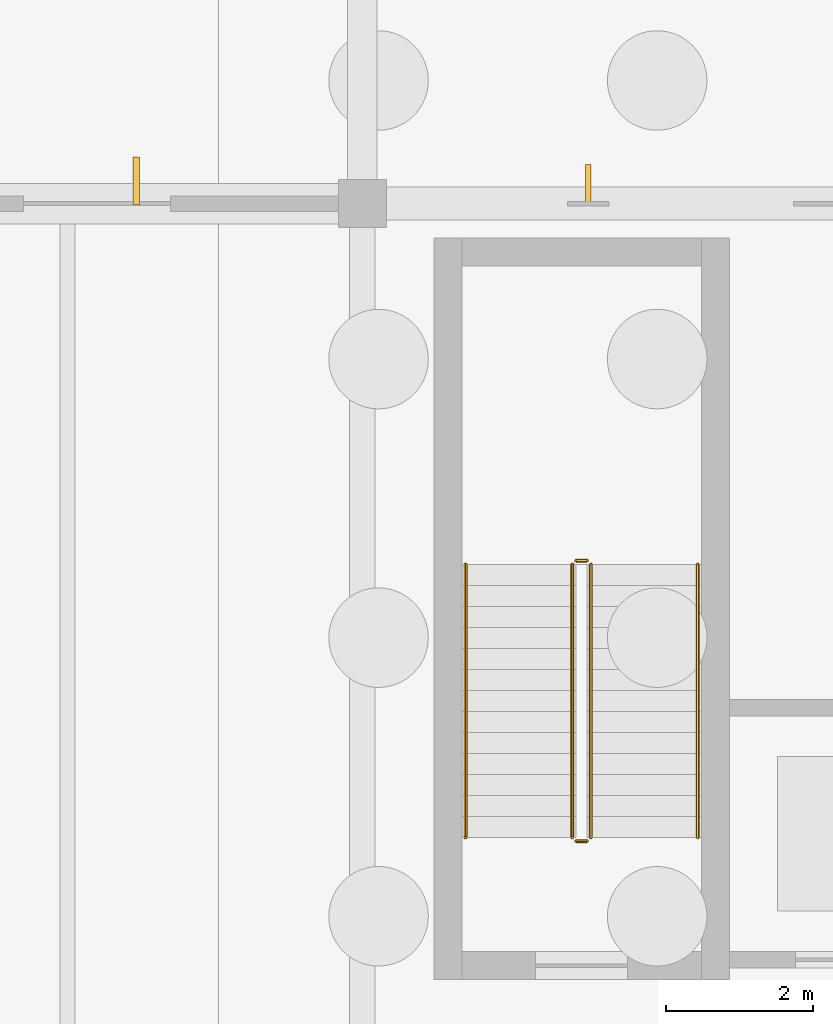
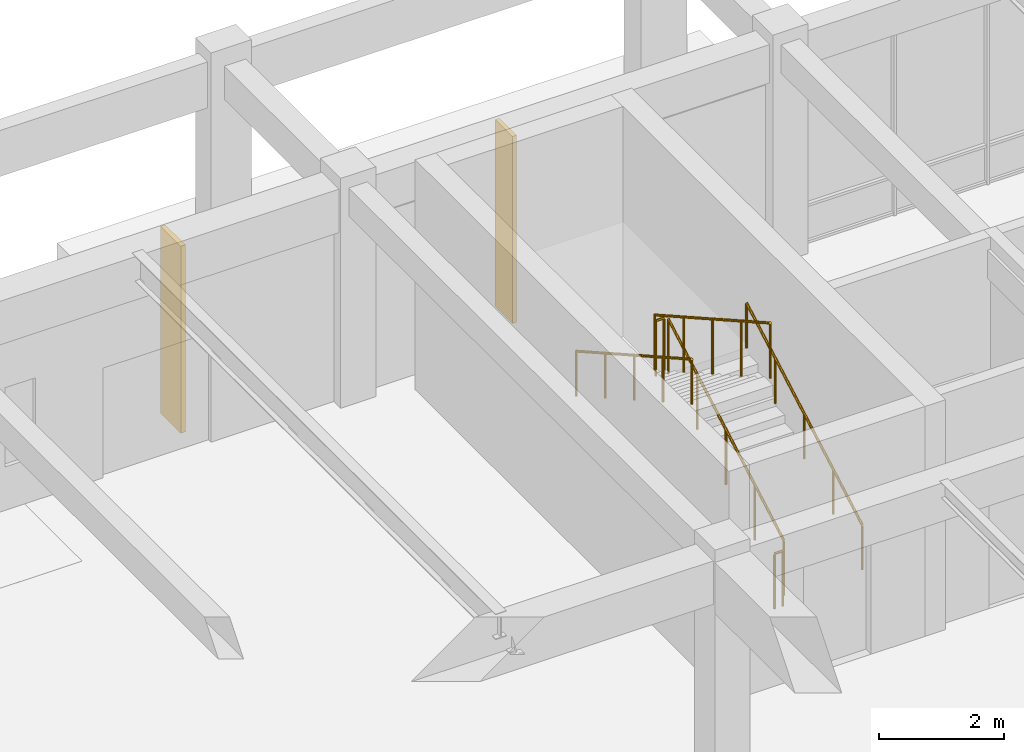
# One storey, part 73 of 84: 6 railings, 2 shading devices.
"""IFC4 building model written with IfcOpenShell, lengths in metres."""

import ifcopenshell
import ifcopenshell.guid

model = None  # the IFC model being written
_history = None  # IfcOwnerHistory: only IFC2X3 demands one
_inside = {}  # id of a spatial element -> (the spatial element, [elements in it])
_under = {}  # id of a project, library or spatial element -> (it, [spatial elements below it])
_declared = {}  # id of a project -> (the project, [libraries it declares])
_typed = {}  # id of a type object -> (the type object, [elements of that type])
_made_of = {}  # id of a material, layer set ... -> (it, [elements and type objects made of it])


def new_model(schema):
    """Start an empty IFC model of exactly this schema.

    Asked for "IFC4X3", IfcOpenShell would pick the latest addendum, in which some entities
    have other attributes; the version numbers below select the first issue.
    IFC2X3 requires an IfcOwnerHistory on every rooted entity: one is made here for all.
    """
    global model, _history
    if schema == "IFC4X3":
        model = ifcopenshell.file(schema_version=(4, 3, 0, 0))
    else:
        model = ifcopenshell.file(schema=schema)
    _inside.clear()
    _under.clear()
    _declared.clear()
    _typed.clear()
    _made_of.clear()
    _history = None
    if model.schema == "IFC2X3":
        org = make("IfcOrganization", Name="unknown")
        user = make(
            "IfcPersonAndOrganization",
            ThePerson=make("IfcPerson", FamilyName="unknown"),
            TheOrganization=org,
        )
        app = make(
            "IfcApplication",
            ApplicationDeveloper=org,
            Version="unknown",
            ApplicationFullName="unknown",
            ApplicationIdentifier="unknown",
        )
        _history = make(
            "IfcOwnerHistory",
            OwningUser=user,
            OwningApplication=app,
            ChangeAction="ADDED",
            CreationDate=0,
        )
    return model


def make(cls, **values):
    """One entity of the class cls with the attributes given. An attribute that is None is left unset."""
    return model.create_entity(
        cls, **{name: value for name, value in values.items() if value is not None}
    )


def rooted(cls, **values):
    """An entity with a GlobalId (a new one), such as an element, a storey or a relation."""
    return make(cls, GlobalId=ifcopenshell.guid.new(), OwnerHistory=_history, **values)


def si_unit(unit_type, name, prefix=None):
    """IfcSIUnit, for example si_unit("LENGTHUNIT", "METRE", prefix="MILLI")."""
    return make("IfcSIUnit", UnitType=unit_type, Prefix=prefix, Name=name)


def assignment(units):
    """IfcUnitAssignment: the units of a project."""
    return None if units is None else make("IfcUnitAssignment", Units=units)


def point(xyz):
    """IfcCartesianPoint."""
    return None if xyz is None else make("IfcCartesianPoint", Coordinates=xyz)


def direction(xyz):
    """IfcDirection."""
    return None if xyz is None else make("IfcDirection", DirectionRatios=xyz)


def frame(location, z_axis=None, x_axis=None):
    """IfcAxis2Placement3D, a coordinate frame: its origin and axes. An axis left out is left unset."""
    return make(
        "IfcAxis2Placement3D",
        Location=point(location),
        Axis=direction(z_axis),
        RefDirection=direction(x_axis),
    )


def frame_2d(location, x_axis=None):
    """IfcAxis2Placement2D, a coordinate frame in the plane: its origin and x axis."""
    return make(
        "IfcAxis2Placement2D", Location=point(location), RefDirection=direction(x_axis)
    )


def origin():
    """The frame at (0, 0, 0) with its axes left unset."""
    return frame((0.0, 0.0, 0.0))


def origin_2d():
    """The frame at (0, 0) in the plane with its x axis left unset."""
    return frame_2d((0.0, 0.0))


def place(relative_to, where):
    """IfcLocalPlacement: puts the frame where relative to a parent placement (None: the world)."""
    return make(
        "IfcLocalPlacement", PlacementRelTo=relative_to, RelativePlacement=where
    )


def context(
    kind, dimensions, precision=None, world=None, true_north=None, identifier=None
):
    """IfcGeometricRepresentationContext, for example the 3D "Model" context."""
    return make(
        "IfcGeometricRepresentationContext",
        ContextIdentifier=identifier,
        ContextType=kind,
        CoordinateSpaceDimension=dimensions,
        Precision=precision,
        WorldCoordinateSystem=world,
        TrueNorth=true_north,
    )


def subcontext(parent, identifier, kind, view, scale=None):
    """IfcGeometricRepresentationSubContext, for example "Body" below "Model"."""
    return make(
        "IfcGeometricRepresentationSubContext",
        ContextIdentifier=identifier,
        ContextType=kind,
        ParentContext=parent,
        TargetScale=scale,
        TargetView=view,
    )


def project(units=None, contexts=None):
    """IfcProject with its units and contexts."""
    return rooted(
        "IfcProject",
        Name="project",
        RepresentationContexts=contexts,
        UnitsInContext=assignment(units),
    )


def spatial(cls, under=None, at=None, **own):
    """A site, building, storey or space (cls), placed at a placement, below another one or the project."""
    s = rooted(cls, ObjectPlacement=at, **own)
    if under is not None:
        _under.setdefault(under.id(), (under, []))[1].append(s)
    return s


def profile(cls, at=None, kind="AREA", **sizes):
    """A parametric profile (cls). Its sizes go by their IFC names, for example OverallWidth=200.0."""
    return make(cls, ProfileType=kind, Position=at, **sizes)


def rectangle(**sizes):
    """IfcRectangleProfileDef."""
    return profile("IfcRectangleProfileDef", **sizes)


def circle(**sizes):
    """IfcCircleProfileDef."""
    return profile("IfcCircleProfileDef", **sizes)


def extrude(swept, where, along, depth):
    """IfcExtrudedAreaSolid: the profile swept, set in the frame where, extruded along a direction by depth."""
    return make(
        "IfcExtrudedAreaSolid",
        SweptArea=swept,
        Position=where,
        ExtrudedDirection=direction(along),
        Depth=depth,
    )


def shape(context_of_items, identifier, shape_type, items):
    """IfcShapeRepresentation: the items that make up one representation, for example the "Body"."""
    return make(
        "IfcShapeRepresentation",
        ContextOfItems=context_of_items,
        RepresentationIdentifier=identifier,
        RepresentationType=shape_type,
        Items=items,
    )


def material(Name=None, Category=None):
    """IfcMaterial."""
    return make("IfcMaterial", Name=Name, Category=Category)


def layer(
    of_material, thickness, ventilated=None, Name=None, Category=None, Priority=None
):
    """IfcMaterialLayer: one layer of a wall or slab, of a material (None: an air gap)."""
    return make(
        "IfcMaterialLayer",
        Material=of_material,
        LayerThickness=thickness,
        IsVentilated=ventilated,
        Name=Name,
        Category=Category,
        Priority=Priority,
    )


def layer_set(layers, Name=None):
    """IfcMaterialLayerSet."""
    return make("IfcMaterialLayerSet", MaterialLayers=layers, LayerSetName=Name)


def made_of(thing, what):
    """Note that an element or type object is made of a material, layer set ...; save() writes the relation."""
    if what is not None:
        _made_of.setdefault(what.id(), (what, []))[1].append(thing)
    return thing


def type_object(cls, material=None, **own):
    """A type object (cls), such as IfcWallType, which elements share."""
    return made_of(rooted(cls, **own), material)


def element(
    cls,
    number,
    at=None,
    inside=None,
    cuts=None,
    type_object=None,
    material=None,
    context=None,
    identifier="Body",
    shape_type=None,
    held_by="IfcProductDefinitionShape",
    body=None,
    shapes=None,
    **own,
):
    """One element of the class cls, such as IfcWall. Its Tag is "e" and its number.

    at: its placement. inside: the storey or other place that contains it. cuts: it is an
    opening in that element (IfcRelVoidsElement). A single representation is given by context,
    identifier, shape_type and body (its items); several are given by shapes. held_by: the class
    of the entity that holds the representations. save() writes the other relations.
    """
    e = rooted(cls, Tag="e%d" % number, ObjectPlacement=at, **own)
    if body is not None:
        shapes = [shape(context, identifier, shape_type, body)]
    if shapes is not None:
        e.Representation = make(held_by, Representations=shapes)
    if inside is not None:
        _inside.setdefault(inside.id(), (inside, []))[1].append(e)
    if cuts is not None:
        rooted(
            "IfcRelVoidsElement", RelatingBuildingElement=cuts, RelatedOpeningElement=e
        )
    if type_object is not None:
        _typed.setdefault(type_object.id(), (type_object, []))[1].append(e)
    return made_of(e, material)


def aggregate(whole, parts):
    """IfcRelAggregates: a whole, such as a stair, and the parts it consists of."""
    return rooted("IfcRelAggregates", RelatingObject=whole, RelatedObjects=parts)


def save(model, path):
    """Write the relations noted so far, then the file.

    IfcRelAggregates (storeys below a building ...), IfcRelContainedInSpatialStructure (elements
    in a storey), IfcRelDefinesByType, IfcRelAssociatesMaterial and IfcRelDeclares: one each for
    every whole, place, type object, material and project.
    """
    for whole, parts in _under.values():
        aggregate(whole, parts)
    for where, things in _inside.values():
        rooted(
            "IfcRelContainedInSpatialStructure",
            RelatedElements=things,
            RelatingStructure=where,
        )
    for kind, things in _typed.values():
        rooted("IfcRelDefinesByType", RelatedObjects=things, RelatingType=kind)
    for what, things in _made_of.values():
        rooted("IfcRelAssociatesMaterial", RelatedObjects=things, RelatingMaterial=what)
    for by, libraries in _declared.values():
        rooted("IfcRelDeclares", RelatingContext=by, RelatedDefinitions=libraries)
    model.write(path)


model = new_model("IFC4")

# Units and contexts
model_context = context("Model", 3, precision=1e-05, world=origin(), true_north=direction((0.0, 1.0)))
body_context = subcontext(model_context, "Body", "Model", "MODEL_VIEW")
ifc_project = project(units=[si_unit("LENGTHUNIT", "METRE"), si_unit("AREAUNIT", "SQUARE_METRE"), si_unit("VOLUMEUNIT", "CUBIC_METRE"), si_unit("PLANEANGLEUNIT", "RADIAN"), si_unit("MASSUNIT", "GRAM", prefix="KILO")], contexts=[model_context])

# Site, building, storey
site_placement = place(None, origin())
site = spatial("IfcSite", under=ifc_project, at=site_placement, CompositionType="ELEMENT")
building_placement = place(site_placement, origin())
building = spatial("IfcBuilding", under=site, at=building_placement, Name="Larkveld Mobility Hub", CompositionType="ELEMENT")
storey_placement = place(building_placement, origin())
storey = spatial("IfcBuildingStorey", under=building, at=storey_placement, Name="L00", CompositionType="ELEMENT", Elevation=0.0)

# Railings
ifc_material_1 = material(Name="Galvanized Steel S355JR balustrade", Category="steel")
railing_type_1 = type_object("IfcRailingType", Name="RL-GRD-1100", PredefinedType="GUARDRAIL", material=ifc_material_1)
railing_1_placement = place(storey_placement, frame((27.10009765625, 113.39990234375, 0.16064453125)))
element("IfcRailing", 1, at=railing_1_placement, inside=storey, type_object=railing_type_1, Name="L00 ST6 stair guard 1", PredefinedType="GUARDRAIL", context=body_context, shape_type="SweptSolid", body=[
    extrude(circle(Radius=0.02392578125, at=origin_2d()), frame((0.0, 0.0, 1.076171875), z_axis=(0.0, 0.871047735535, 0.491198373795), x_axis=(-1.0, 0.0, 0.0)), (0.0, 0.0, 1.0), 4.253662109375),
    extrude(circle(Radius=0.02099609375, at=origin_2d()), origin(), (0.0, 0.0, 1.0), 1.052001953125),
    extrude(circle(Radius=0.02099609375, at=origin_2d()), frame((0.0, 0.92626953125, 0.5224609375)), (0.0, 0.0, 1.0), 1.052001953125),
    extrude(circle(Radius=0.02099609375, at=origin_2d()), frame((0.0, 1.8525390625, 1.044677734375)), (0.0, 0.0, 1.0), 1.052001953125),
    extrude(circle(Radius=0.02099609375, at=origin_2d()), frame((0.0, 2.77880859375, 1.56689453125)), (0.0, 0.0, 1.0), 1.052001953125),
    extrude(circle(Radius=0.02099609375, at=origin_2d()), frame((0.0, 3.705078125, 2.08935546875)), (0.0, 0.0, 1.0), 1.052001953125),
])
railing_2_placement = place(storey_placement, frame((27.050048828125, 117.155029296875, 2.25)))
element("IfcRailing", 2, at=railing_2_placement, inside=storey, type_object=railing_type_1, Name="L00 ST6 stair guard 2", PredefinedType="GUARDRAIL", context=body_context, shape_type="SweptSolid", body=[
    extrude(circle(Radius=0.02392578125, at=origin_2d()), frame((0.0, 0.0, 1.076171875), z_axis=(-1.0, 0.0, 0.0), x_axis=(0.0, -1.0, 0.0)), (0.0, 0.0, 1.0), 0.150146484375),
    extrude(circle(Radius=0.02099609375, at=origin_2d()), origin(), (0.0, 0.0, 1.0), 1.052001953125),
    extrude(circle(Radius=0.02099609375, at=origin_2d()), frame((-0.150146484375, 0.0, 0.0)), (0.0, 0.0, 1.0), 1.052001953125),
])
railing_3_placement = place(storey_placement, frame((26.85009765625, 117.10498046875, 2.41064453125)))
element("IfcRailing", 3, at=railing_3_placement, inside=storey, type_object=railing_type_1, Name="L00 ST6 stair guard 3", PredefinedType="GUARDRAIL", context=body_context, shape_type="SweptSolid", body=[
    extrude(circle(Radius=0.02392578125, at=origin_2d()), frame((0.0, 0.0, 1.076171875), z_axis=(0.0, -0.871047735535, 0.491198373795), x_axis=(1.0, 0.0, 0.0)), (0.0, 0.0, 1.0), 4.253662109375),
    extrude(circle(Radius=0.02099609375, at=origin_2d()), origin(), (0.0, 0.0, 1.0), 1.052001953125),
    extrude(circle(Radius=0.02099609375, at=origin_2d()), frame((0.0, -0.92626953125, 0.5224609375)), (0.0, 0.0, 1.0), 1.052001953125),
    extrude(circle(Radius=0.02099609375, at=origin_2d()), frame((0.0, -1.8525390625, 1.044677734375)), (0.0, 0.0, 1.0), 1.052001953125),
    extrude(circle(Radius=0.02099609375, at=origin_2d()), frame((0.0, -2.77880859375, 1.56689453125)), (0.0, 0.0, 1.0), 1.052001953125),
    extrude(circle(Radius=0.02099609375, at=origin_2d()), frame((0.0, -3.705078125, 2.08935546875)), (0.0, 0.0, 1.0), 1.052001953125),
])
railing_4_placement = place(storey_placement, frame((27.050048828125, 113.35009765625, 0.0)))
element("IfcRailing", 4, at=railing_4_placement, inside=storey, type_object=railing_type_1, Name="L00 ST6 stair guard 4", PredefinedType="GUARDRAIL", context=body_context, shape_type="SweptSolid", body=[
    extrude(circle(Radius=0.02392578125, at=origin_2d()), frame((0.0, 0.0, 1.076171875), z_axis=(-1.0, 0.0, 0.0), x_axis=(0.0, -1.0, 0.0)), (0.0, 0.0, 1.0), 0.150146484375),
    extrude(circle(Radius=0.02099609375, at=origin_2d()), origin(), (0.0, 0.0, 1.0), 1.052001953125),
    extrude(circle(Radius=0.02099609375, at=origin_2d()), frame((-0.150146484375, 0.0, 0.0)), (0.0, 0.0, 1.0), 1.052001953125),
])
ifc_material_2 = material(Name="Brushed Steel S355JR tubular handrail", Category="steel")
railing_type_2 = type_object("IfcRailingType", Name="RL-HND-0900", PredefinedType="HANDRAIL", material=ifc_material_2)
railing_5_placement = place(storey_placement, frame((28.550048828125, 113.39990234375, 0.16064453125)))
element("IfcRailing", 5, at=railing_5_placement, inside=storey, type_object=railing_type_2, Name="L00 ST6 stair handrail 1", PredefinedType="HANDRAIL", context=body_context, shape_type="SweptSolid", body=[
    extrude(circle(Radius=0.02392578125, at=origin_2d()), frame((0.0, 0.0, 0.8759765625), z_axis=(0.0, 0.871047735535, 0.491198373795), x_axis=(-1.0, 0.0, 0.0)), (0.0, 0.0, 1.0), 4.253662109375),
    extrude(circle(Radius=0.02099609375, at=origin_2d()), origin(), (0.0, 0.0, 1.0), 0.851806640625),
    extrude(circle(Radius=0.02099609375, at=origin_2d()), frame((0.0, 0.92626953125, 0.5224609375)), (0.0, 0.0, 1.0), 0.851806640625),
    extrude(circle(Radius=0.02099609375, at=origin_2d()), frame((0.0, 1.8525390625, 1.044677734375)), (0.0, 0.0, 1.0), 0.851806640625),
    extrude(circle(Radius=0.02099609375, at=origin_2d()), frame((0.0, 2.77880859375, 1.56689453125)), (0.0, 0.0, 1.0), 0.851806640625),
    extrude(circle(Radius=0.02099609375, at=origin_2d()), frame((0.0, 3.705078125, 2.08935546875)), (0.0, 0.0, 1.0), 0.851806640625),
])
railing_6_placement = place(storey_placement, frame((25.39990234375, 117.10498046875, 2.41064453125)))
element("IfcRailing", 6, at=railing_6_placement, inside=storey, type_object=railing_type_2, Name="L00 ST6 stair handrail 2", PredefinedType="HANDRAIL", context=body_context, shape_type="SweptSolid", body=[
    extrude(circle(Radius=0.02392578125, at=origin_2d()), frame((0.0, 0.0, 0.8759765625), z_axis=(0.0, -0.871047735535, 0.491198373795), x_axis=(1.0, 0.0, 0.0)), (0.0, 0.0, 1.0), 4.253662109375),
    extrude(circle(Radius=0.02099609375, at=origin_2d()), origin(), (0.0, 0.0, 1.0), 0.851806640625),
    extrude(circle(Radius=0.02099609375, at=origin_2d()), frame((0.0, -0.92626953125, 0.5224609375)), (0.0, 0.0, 1.0), 0.851806640625),
    extrude(circle(Radius=0.02099609375, at=origin_2d()), frame((0.0, -1.8525390625, 1.044677734375)), (0.0, 0.0, 1.0), 0.851806640625),
    extrude(circle(Radius=0.02099609375, at=origin_2d()), frame((0.0, -2.77880859375, 1.56689453125)), (0.0, 0.0, 1.0), 0.851806640625),
    extrude(circle(Radius=0.02099609375, at=origin_2d()), frame((0.0, -3.705078125, 2.08935546875)), (0.0, 0.0, 1.0), 0.851806640625),
])

# Shading devices
ifc_material_3 = material(Name="Precast concrete C50/60", Category="concrete")
ifc_layer_1 = layer(ifc_material_3, 0.074951171875, Name="Precast concrete C50/60", Category="concrete")
ifc_layer_set_1 = layer_set([ifc_layer_1], Name="Precast concrete C50/60")
shading_device_type_1 = type_object("IfcShadingDeviceType", Name="SHD-JAL-02", PredefinedType="JALOUSIE", material=ifc_layer_set_1)
shading_device_1_placement = place(storey_placement, frame((27.06591796875, 122.2548828125, 0.2998046875), z_axis=(0.0, 0.0, 1.0), x_axis=(1.0, 0.0, 0.0)))
element("IfcShadingDevice", 7, at=shading_device_1_placement, inside=storey, type_object=shading_device_type_1, Name="North Facade Sunshade Fin NF-043", PredefinedType="JALOUSIE", context=body_context, shape_type="SweptSolid", body=[
    extrude(rectangle(XDim=0.074951171875, YDim=0.550048828125, at=origin_2d()), origin(), (0.0, 0.0, 1.0), 3.659912109375),
])
ifc_layer_2 = layer(ifc_material_3, 0.0849609375, Name="Precast concrete C50/60", Category="concrete")
ifc_layer_set_2 = layer_set([ifc_layer_2], Name="Precast concrete C50/60")
shading_device_type_2 = type_object("IfcShadingDeviceType", Name="SHD-JAL-03", PredefinedType="JALOUSIE", material=ifc_layer_set_2)
shading_device_2_placement = place(storey_placement, frame((20.93408203125, 122.304931640625, 0.2998046875), z_axis=(0.0, 0.0, 1.0), x_axis=(1.0, 0.0, 0.0)))
element("IfcShadingDevice", 8, at=shading_device_2_placement, inside=storey, type_object=shading_device_type_2, Name="North Facade Sunshade Fin NF-044", PredefinedType="JALOUSIE", context=body_context, shape_type="SweptSolid", body=[
    extrude(rectangle(XDim=0.0849609375, YDim=0.64990234375, at=origin_2d()), origin(), (0.0, 0.0, 1.0), 3.659912109375),
])

save(model, "model.ifc")
